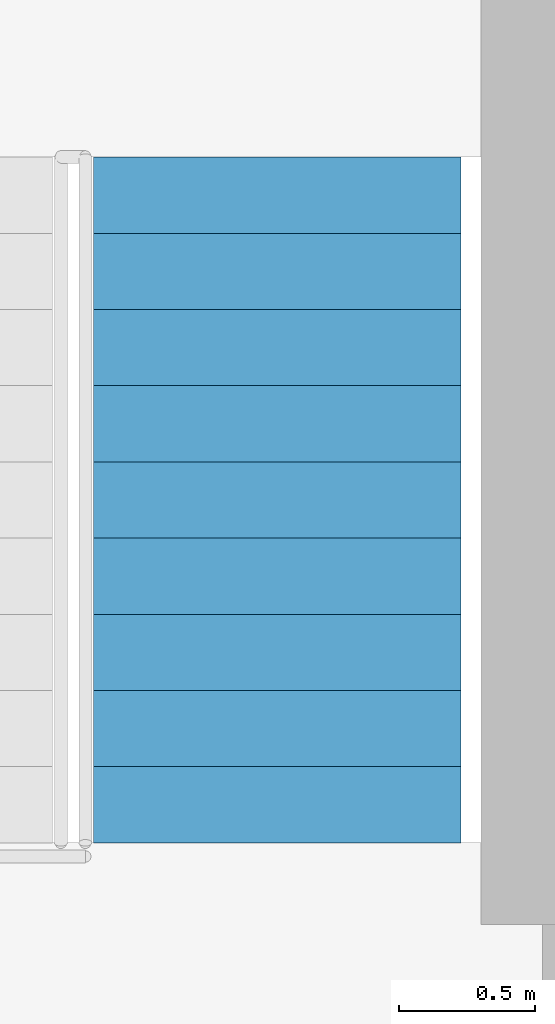
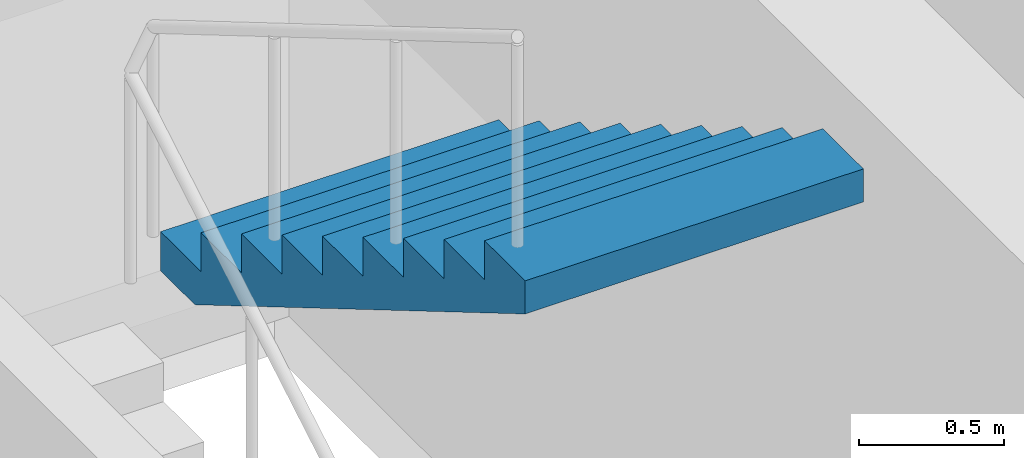
# One storey, part 12 of 13: 1 stair flight, 1 element without a shape of its own.
"""IFC4 building model written with IfcOpenShell, lengths in metres."""

import ifcopenshell
import ifcopenshell.guid

model = None  # the IFC model being written
_history = None  # IfcOwnerHistory: only IFC2X3 demands one
_inside = {}  # id of a spatial element -> (the spatial element, [elements in it])
_under = {}  # id of a project, library or spatial element -> (it, [spatial elements below it])
_declared = {}  # id of a project -> (the project, [libraries it declares])
_typed = {}  # id of a type object -> (the type object, [elements of that type])
_made_of = {}  # id of a material, layer set ... -> (it, [elements and type objects made of it])


def new_model(schema):
    """Start an empty IFC model of exactly this schema.

    Asked for "IFC4X3", IfcOpenShell would pick the latest addendum, in which some entities
    have other attributes; the version numbers below select the first issue.
    IFC2X3 requires an IfcOwnerHistory on every rooted entity: one is made here for all.
    """
    global model, _history
    if schema == "IFC4X3":
        model = ifcopenshell.file(schema_version=(4, 3, 0, 0))
    else:
        model = ifcopenshell.file(schema=schema)
    _inside.clear()
    _under.clear()
    _declared.clear()
    _typed.clear()
    _made_of.clear()
    _history = None
    if model.schema == "IFC2X3":
        org = make("IfcOrganization", Name="unknown")
        user = make(
            "IfcPersonAndOrganization",
            ThePerson=make("IfcPerson", FamilyName="unknown"),
            TheOrganization=org,
        )
        app = make(
            "IfcApplication",
            ApplicationDeveloper=org,
            Version="unknown",
            ApplicationFullName="unknown",
            ApplicationIdentifier="unknown",
        )
        _history = make(
            "IfcOwnerHistory",
            OwningUser=user,
            OwningApplication=app,
            ChangeAction="ADDED",
            CreationDate=0,
        )
    return model


def make(cls, **values):
    """One entity of the class cls with the attributes given. An attribute that is None is left unset."""
    return model.create_entity(
        cls, **{name: value for name, value in values.items() if value is not None}
    )


def rooted(cls, **values):
    """An entity with a GlobalId (a new one), such as an element, a storey or a relation."""
    return make(cls, GlobalId=ifcopenshell.guid.new(), OwnerHistory=_history, **values)


def si_unit(unit_type, name, prefix=None):
    """IfcSIUnit, for example si_unit("LENGTHUNIT", "METRE", prefix="MILLI")."""
    return make("IfcSIUnit", UnitType=unit_type, Prefix=prefix, Name=name)


def assignment(units):
    """IfcUnitAssignment: the units of a project."""
    return None if units is None else make("IfcUnitAssignment", Units=units)


def point(xyz):
    """IfcCartesianPoint."""
    return None if xyz is None else make("IfcCartesianPoint", Coordinates=xyz)


def direction(xyz):
    """IfcDirection."""
    return None if xyz is None else make("IfcDirection", DirectionRatios=xyz)


def frame(location, z_axis=None, x_axis=None):
    """IfcAxis2Placement3D, a coordinate frame: its origin and axes. An axis left out is left unset."""
    return make(
        "IfcAxis2Placement3D",
        Location=point(location),
        Axis=direction(z_axis),
        RefDirection=direction(x_axis),
    )


def origin():
    """The frame at (0, 0, 0) with its axes left unset."""
    return frame((0.0, 0.0, 0.0))


def place(relative_to, where):
    """IfcLocalPlacement: puts the frame where relative to a parent placement (None: the world)."""
    return make(
        "IfcLocalPlacement", PlacementRelTo=relative_to, RelativePlacement=where
    )


def context(
    kind, dimensions, precision=None, world=None, true_north=None, identifier=None
):
    """IfcGeometricRepresentationContext, for example the 3D "Model" context."""
    return make(
        "IfcGeometricRepresentationContext",
        ContextIdentifier=identifier,
        ContextType=kind,
        CoordinateSpaceDimension=dimensions,
        Precision=precision,
        WorldCoordinateSystem=world,
        TrueNorth=true_north,
    )


def subcontext(parent, identifier, kind, view, scale=None):
    """IfcGeometricRepresentationSubContext, for example "Body" below "Model"."""
    return make(
        "IfcGeometricRepresentationSubContext",
        ContextIdentifier=identifier,
        ContextType=kind,
        ParentContext=parent,
        TargetScale=scale,
        TargetView=view,
    )


def project(units=None, contexts=None):
    """IfcProject with its units and contexts."""
    return rooted(
        "IfcProject",
        Name="project",
        RepresentationContexts=contexts,
        UnitsInContext=assignment(units),
    )


def spatial(cls, under=None, at=None, **own):
    """A site, building, storey or space (cls), placed at a placement, below another one or the project."""
    s = rooted(cls, ObjectPlacement=at, **own)
    if under is not None:
        _under.setdefault(under.id(), (under, []))[1].append(s)
    return s


def polyline(points):
    """IfcPolyline through the points."""
    return make("IfcPolyline", Points=[point(p) for p in points])


def outline(outer, holes=None, kind="AREA"):
    """IfcArbitraryClosedProfileDef: a profile drawn as a closed curve; with holes, ...WithVoids."""
    if holes is None:
        return make("IfcArbitraryClosedProfileDef", ProfileType=kind, OuterCurve=outer)
    return make(
        "IfcArbitraryProfileDefWithVoids",
        ProfileType=kind,
        OuterCurve=outer,
        InnerCurves=holes,
    )


def extrude(swept, where, along, depth):
    """IfcExtrudedAreaSolid: the profile swept, set in the frame where, extruded along a direction by depth."""
    return make(
        "IfcExtrudedAreaSolid",
        SweptArea=swept,
        Position=where,
        ExtrudedDirection=direction(along),
        Depth=depth,
    )


def shape(context_of_items, identifier, shape_type, items):
    """IfcShapeRepresentation: the items that make up one representation, for example the "Body"."""
    return make(
        "IfcShapeRepresentation",
        ContextOfItems=context_of_items,
        RepresentationIdentifier=identifier,
        RepresentationType=shape_type,
        Items=items,
    )


def material(Name=None, Category=None):
    """IfcMaterial."""
    return make("IfcMaterial", Name=Name, Category=Category)


def made_of(thing, what):
    """Note that an element or type object is made of a material, layer set ...; save() writes the relation."""
    if what is not None:
        _made_of.setdefault(what.id(), (what, []))[1].append(thing)
    return thing


def type_object(cls, material=None, **own):
    """A type object (cls), such as IfcWallType, which elements share."""
    return made_of(rooted(cls, **own), material)


def element(
    cls,
    number,
    at=None,
    inside=None,
    cuts=None,
    type_object=None,
    material=None,
    context=None,
    identifier="Body",
    shape_type=None,
    held_by="IfcProductDefinitionShape",
    body=None,
    shapes=None,
    **own,
):
    """One element of the class cls, such as IfcWall. Its Tag is "e" and its number.

    at: its placement. inside: the storey or other place that contains it. cuts: it is an
    opening in that element (IfcRelVoidsElement). A single representation is given by context,
    identifier, shape_type and body (its items); several are given by shapes. held_by: the class
    of the entity that holds the representations. save() writes the other relations.
    """
    e = rooted(cls, Tag="e%d" % number, ObjectPlacement=at, **own)
    if body is not None:
        shapes = [shape(context, identifier, shape_type, body)]
    if shapes is not None:
        e.Representation = make(held_by, Representations=shapes)
    if inside is not None:
        _inside.setdefault(inside.id(), (inside, []))[1].append(e)
    if cuts is not None:
        rooted(
            "IfcRelVoidsElement", RelatingBuildingElement=cuts, RelatedOpeningElement=e
        )
    if type_object is not None:
        _typed.setdefault(type_object.id(), (type_object, []))[1].append(e)
    return made_of(e, material)


def aggregate(whole, parts):
    """IfcRelAggregates: a whole, such as a stair, and the parts it consists of."""
    return rooted("IfcRelAggregates", RelatingObject=whole, RelatedObjects=parts)


def save(model, path):
    """Write the relations noted so far, then the file.

    IfcRelAggregates (storeys below a building ...), IfcRelContainedInSpatialStructure (elements
    in a storey), IfcRelDefinesByType, IfcRelAssociatesMaterial and IfcRelDeclares: one each for
    every whole, place, type object, material and project.
    """
    for whole, parts in _under.values():
        aggregate(whole, parts)
    for where, things in _inside.values():
        rooted(
            "IfcRelContainedInSpatialStructure",
            RelatedElements=things,
            RelatingStructure=where,
        )
    for kind, things in _typed.values():
        rooted("IfcRelDefinesByType", RelatedObjects=things, RelatingType=kind)
    for what, things in _made_of.values():
        rooted("IfcRelAssociatesMaterial", RelatedObjects=things, RelatingMaterial=what)
    for by, libraries in _declared.values():
        rooted("IfcRelDeclares", RelatingContext=by, RelatedDefinitions=libraries)
    model.write(path)


model = new_model("IFC4")

# Units and contexts
model_context = context("Model", 3, precision=1e-05, world=origin(), true_north=direction((0.0, 1.0)))
body_context = subcontext(model_context, "Body", "Model", "MODEL_VIEW")
ifc_project = project(units=[si_unit("LENGTHUNIT", "METRE"), si_unit("AREAUNIT", "SQUARE_METRE"), si_unit("VOLUMEUNIT", "CUBIC_METRE"), si_unit("PLANEANGLEUNIT", "RADIAN"), si_unit("MASSUNIT", "GRAM", prefix="KILO")], contexts=[model_context])

# Site, building, storey
site_placement = place(None, origin())
site = spatial("IfcSite", under=ifc_project, at=site_placement, CompositionType="ELEMENT")
building_placement = place(site_placement, origin())
building = spatial("IfcBuilding", under=site, at=building_placement, Name="Quoin Convention Tower", CompositionType="ELEMENT")
storey_placement = place(building_placement, frame((0.0, 0.0, 49.5)))
storey = spatial("IfcBuildingStorey", under=building, at=storey_placement, Name="L12", CompositionType="ELEMENT", Elevation=49.5)

# Stair, stair flight
ifc_material = material(Name="Concrete C40", Category="concrete")
stair_type = type_object("IfcStairType", Name="Exit stair two-flight 1350", PredefinedType="HALF_TURN_STAIR", material=ifc_material)
stair_placement = place(storey_placement, origin())
stair = element("IfcStair", 1, at=stair_placement, inside=storey, type_object=stair_type, Name="SD2 L12", PredefinedType="HALF_TURN_STAIR")
stair_flight_type = type_object("IfcStairFlightType", Name="Stair flight 1350", PredefinedType="STRAIGHT", material=ifc_material)
stair_flight_placement = place(storey_placement, frame((66.25, 60.320068359375, 1.64990234375), z_axis=(0.0, 0.0, 1.0), x_axis=(0.0, -1.0, 0.0)))
stair_flight = element("IfcStairFlight", 2, at=stair_flight_placement, type_object=stair_flight_type, Name="ST2 flight 2", NumberOfRisers=10, NumberOfTreads=9, PredefinedType="STRAIGHT", RiserHeight=0.165, TreadLength=0.28, context=body_context, shape_type="SweptSolid", body=[
    extrude(outline(polyline([(0.0, 0.0), (0.0, 0.1650390625), (0.280029296875, 0.1650390625), (0.280029296875, 0.330078125), (0.56005859375, 0.330078125), (0.56005859375, 0.4951171875), (0.840087890625, 0.4951171875), (0.840087890625, 0.659912109375), (1.1201171875, 0.659912109375), (1.1201171875, 0.824951171875), (1.39990234375, 0.824951171875), (1.39990234375, 0.989990234375), (1.679931640625, 0.989990234375), (1.679931640625, 1.155029296875), (1.9599609375, 1.155029296875), (1.9599609375, 1.320068359375), (2.239990234375, 1.320068359375), (2.239990234375, 1.485107421875), (2.52001953125, 1.485107421875), (2.52001953125, 1.64990234375), (2.52001953125, 1.345458984375), (0.236572265625, 0.0), (0.0, 0.0)])), frame((0.0, 0.675048828125, 0.0), z_axis=(0.0, -1.0, 0.0), x_axis=(1.0, 0.0, 0.0)), (0.0, 0.0, 1.0), 1.35009765625),
])
aggregate(stair, [stair_flight])

save(model, "model.ifc")
